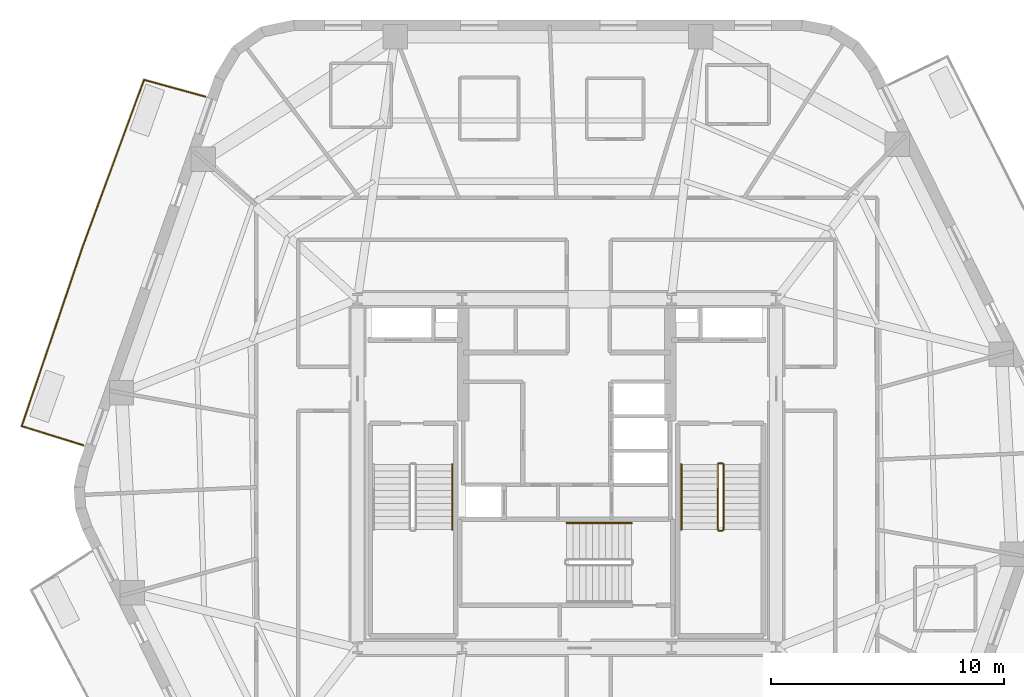
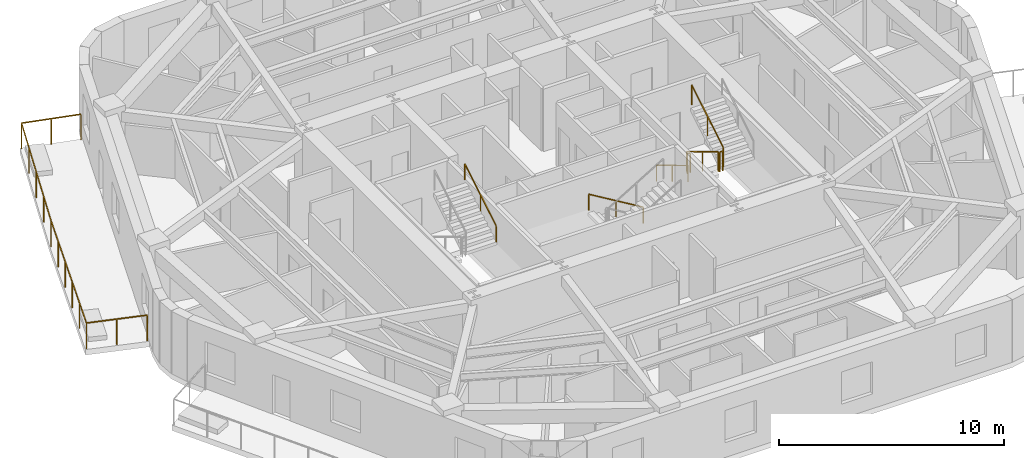
# One storey, part 9 of 10: 8 railings.
"""IFC4 building model written with IfcOpenShell, lengths in metres."""

from ifc_helpers import new_model, si_unit, direction, frame, origin, origin_2d, place, context, subcontext, project, spatial, rectangle, extrude, material, layer, layer_set, type_object, element, save


model = new_model("IFC4")

# Units and contexts
model_context = context("Model", 3, precision=1e-05, world=origin(), true_north=direction((0.0, 1.0)))
body_context = subcontext(model_context, "Body", "Model", "MODEL_VIEW")
ifc_project = project(units=[si_unit("LENGTHUNIT", "METRE"), si_unit("AREAUNIT", "SQUARE_METRE"), si_unit("VOLUMEUNIT", "CUBIC_METRE"), si_unit("PLANEANGLEUNIT", "RADIAN"), si_unit("MASSUNIT", "GRAM", prefix="KILO")], contexts=[model_context])

# Site, building, storey
site_placement = place(None, origin())
site = spatial("IfcSite", under=ifc_project, at=site_placement, CompositionType="ELEMENT")
building_placement = place(site_placement, origin())
building = spatial("IfcBuilding", under=site, at=building_placement, Name="Kilnhurst Terrace Hotel", CompositionType="ELEMENT")
storey_placement = place(building_placement, frame((0.0, 0.0, 175.60009765625)))
storey = spatial("IfcBuildingStorey", under=building, at=storey_placement, Name="L43", CompositionType="ELEMENT", Elevation=175.60009765625)

# Railings
ifc_material_1 = material(Name="Laminated SentryGlas and Stainless Steel AISI 316L Balustrade", Category="steel")
ifc_layer_1 = layer(ifc_material_1, 0.070068359375, Name="Laminated SentryGlas and Stainless Steel AISI 316L Balustrade")
ifc_layer_set_1 = layer_set([ifc_layer_1], Name="Laminated SentryGlas and Stainless Steel AISI 316L Balustrade")
railing_type_1 = type_object("IfcRailingType", Name="RLG-BAL-1420", PredefinedType="BALUSTRADE", material=ifc_layer_set_1)
railing_1_placement = place(storey_placement, frame((-20.783935546875, 1.215087890625, 0.0)))
element("IfcRailing", 1, at=railing_1_placement, inside=storey, type_object=railing_type_1, Name="L43 Exterior Terrace Guardrail BAL-L2A.1", PredefinedType="BALUSTRADE", context=body_context, shape_type="SweptSolid", body=[
    extrude(rectangle(XDim=0.048095703125, YDim=0.048095703125, at=origin_2d()), frame((0.0, 0.0, 1.39599609375), z_axis=(-0.954948187333, 0.29677257203, 0.0), x_axis=(-0.29677257203, -0.954948187333, 0.0)), (0.0, 0.0, 1.0), 2.7763671875),
    extrude(rectangle(XDim=0.048095703125, YDim=0.048095703125, at=origin_2d()), frame((-2.6513671875, 0.823974609375, 1.39599609375), z_axis=(0.321641701575, 0.946861455445, 0.0), x_axis=(-0.946861455445, 0.321641701575, 0.0)), (0.0, 0.0, 1.0), 8.082275390625),
    extrude(rectangle(XDim=0.048095703125, YDim=0.048095703125, at=origin_2d()), frame((-0.0517578125, 8.476806640625, 1.39599609375), z_axis=(0.344704120874, 0.938711387516, 0.0), x_axis=(-0.938711387516, 0.344704120874, 0.0)), (0.0, 0.0, 1.0), 7.7080078125),
    extrude(rectangle(XDim=0.048095703125, YDim=0.048095703125, at=origin_2d()), frame((2.605224609375, 15.71240234375, 1.39599609375), z_axis=(0.964239560757, -0.265032204593, 0.0), x_axis=(0.265032204593, 0.964239560757, 0.0)), (0.0, 0.0, 1.0), 2.739501953125),
    extrude(rectangle(XDim=0.0419921875, YDim=0.0419921875, at=origin_2d()), origin(), (0.0, 0.0, 1.0), 1.371826171875),
    extrude(rectangle(XDim=0.0419921875, YDim=0.0419921875, at=origin_2d()), frame((-1.32568359375, 0.412109375, 0.0)), (0.0, 0.0, 1.0), 1.371826171875),
    extrude(rectangle(XDim=0.0419921875, YDim=0.0419921875, at=origin_2d()), frame((-2.6513671875, 0.823974609375, 0.0)), (0.0, 0.0, 1.0), 1.371826171875),
    extrude(rectangle(XDim=0.0419921875, YDim=0.0419921875, at=origin_2d()), frame((-2.13134765625, 2.3544921875, 0.0)), (0.0, 0.0, 1.0), 1.371826171875),
    extrude(rectangle(XDim=0.0419921875, YDim=0.0419921875, at=origin_2d()), frame((-1.611572265625, 3.885009765625, 0.0)), (0.0, 0.0, 1.0), 1.371826171875),
    extrude(rectangle(XDim=0.0419921875, YDim=0.0419921875, at=origin_2d()), frame((-1.091552734375, 5.415771484375, 0.0)), (0.0, 0.0, 1.0), 1.371826171875),
    extrude(rectangle(XDim=0.0419921875, YDim=0.0419921875, at=origin_2d()), frame((-0.57177734375, 6.9462890625, 0.0)), (0.0, 0.0, 1.0), 1.371826171875),
    extrude(rectangle(XDim=0.0419921875, YDim=0.0419921875, at=origin_2d()), frame((-0.0517578125, 8.476806640625, 0.0)), (0.0, 0.0, 1.0), 1.371826171875),
    extrude(rectangle(XDim=0.0419921875, YDim=0.0419921875, at=origin_2d()), frame((0.612548828125, 10.28564453125, 0.0)), (0.0, 0.0, 1.0), 1.371826171875),
    extrude(rectangle(XDim=0.0419921875, YDim=0.0419921875, at=origin_2d()), frame((1.27685546875, 12.0947265625, 0.0)), (0.0, 0.0, 1.0), 1.371826171875),
    extrude(rectangle(XDim=0.0419921875, YDim=0.0419921875, at=origin_2d()), frame((1.94091796875, 13.903564453125, 0.0)), (0.0, 0.0, 1.0), 1.371826171875),
    extrude(rectangle(XDim=0.0419921875, YDim=0.0419921875, at=origin_2d()), frame((2.605224609375, 15.71240234375, 0.0)), (0.0, 0.0, 1.0), 1.371826171875),
    extrude(rectangle(XDim=0.0419921875, YDim=0.0419921875, at=origin_2d()), frame((3.926025390625, 15.349365234375, 0.0)), (0.0, 0.0, 1.0), 1.371826171875),
    extrude(rectangle(XDim=0.0419921875, YDim=0.0419921875, at=origin_2d()), frame((5.246826171875, 14.986328125, 0.0)), (0.0, 0.0, 1.0), 1.371826171875),
])
ifc_material_2 = material(Name="Powder-Coated Steel ASTM A500 Grade B", Category="steel")
ifc_layer_2 = layer(ifc_material_2, 0.050048828125, Name="Powder-Coated Steel ASTM A500 Grade B")
ifc_layer_set_2 = layer_set([ifc_layer_2], Name="Powder-Coated Steel ASTM A500 Grade B")
railing_type_2 = type_object("IfcRailingType", Name="RLG-ST-GRD-1100", PredefinedType="GUARDRAIL", material=ifc_layer_set_2)
railing_2_placement = place(storey_placement, frame((6.489990234375, 0.389892578125, 0.16796875)))
element("IfcRailing", 2, at=railing_2_placement, inside=storey, type_object=railing_type_2, Name="L43 ST-2 stair guard 1", PredefinedType="GUARDRAIL", context=body_context, shape_type="SweptSolid", body=[
    extrude(rectangle(XDim=0.048095703125, YDim=0.048095703125, at=origin_2d()), frame((0.0, 0.0, 1.076171875), z_axis=(0.0, -0.857222391501, 0.514946377315), x_axis=(1.0, 0.0, 0.0)), (0.0, 0.0, 1.0), 3.26611328125),
    extrude(rectangle(XDim=0.0419921875, YDim=0.0419921875, at=origin_2d()), origin(), (0.0, 0.0, 1.0), 1.052001953125),
    extrude(rectangle(XDim=0.0419921875, YDim=0.0419921875, at=origin_2d()), frame((0.0, -1.39990234375, 0.8408203125)), (0.0, 0.0, 1.0), 1.052001953125),
    extrude(rectangle(XDim=0.0419921875, YDim=0.0419921875, at=origin_2d()), frame((0.0, -2.7998046875, 1.681884765625)), (0.0, 0.0, 1.0), 1.052001953125),
])
railing_3_placement = place(storey_placement, frame((6.5400390625, -2.4599609375, 1.849853515625)))
element("IfcRailing", 3, at=railing_3_placement, inside=storey, type_object=railing_type_2, Name="L43 ST-2 stair guard 2", PredefinedType="GUARDRAIL", context=body_context, shape_type="SweptSolid", body=[
    extrude(rectangle(XDim=0.048095703125, YDim=0.048095703125, at=origin_2d()), frame((0.0, 0.0, 1.076171875), z_axis=(1.0, 0.0, 0.0), x_axis=(0.0, 1.0, 0.0)), (0.0, 0.0, 1.0), 0.14990234375),
    extrude(rectangle(XDim=0.0419921875, YDim=0.0419921875, at=origin_2d()), origin(), (0.0, 0.0, 1.0), 1.052001953125),
    extrude(rectangle(XDim=0.0419921875, YDim=0.0419921875, at=origin_2d()), frame((0.14990234375, 0.0, 0.0)), (0.0, 0.0, 1.0), 1.052001953125),
])
railing_4_placement = place(storey_placement, frame((6.739990234375, -2.409912109375, 2.01806640625)))
element("IfcRailing", 4, at=railing_4_placement, inside=storey, type_object=railing_type_2, Name="L43 ST-2 stair guard 3", PredefinedType="GUARDRAIL", context=body_context, shape_type="SweptSolid", body=[
    extrude(rectangle(XDim=0.048095703125, YDim=0.048095703125, at=origin_2d()), frame((0.0, 0.0, 1.076171875), z_axis=(0.0, 0.857222391501, 0.514946377315), x_axis=(-1.0, 0.0, 0.0)), (0.0, 0.0, 1.0), 3.26611328125),
    extrude(rectangle(XDim=0.0419921875, YDim=0.0419921875, at=origin_2d()), origin(), (0.0, 0.0, 1.0), 1.052001953125),
    extrude(rectangle(XDim=0.0419921875, YDim=0.0419921875, at=origin_2d()), frame((0.0, 1.39990234375, 0.8408203125)), (0.0, 0.0, 1.0), 1.052001953125),
    extrude(rectangle(XDim=0.0419921875, YDim=0.0419921875, at=origin_2d()), frame((0.0, 2.7998046875, 1.681884765625)), (0.0, 0.0, 1.0), 1.052001953125),
])
railing_5_placement = place(storey_placement, frame((6.5400390625, 0.43994140625, 0.0)))
element("IfcRailing", 5, at=railing_5_placement, inside=storey, type_object=railing_type_2, Name="L43 ST-2 stair guard 4", PredefinedType="GUARDRAIL", context=body_context, shape_type="SweptSolid", body=[
    extrude(rectangle(XDim=0.048095703125, YDim=0.048095703125, at=origin_2d()), frame((0.0, 0.0, 1.076171875), z_axis=(1.0, 0.0, 0.0), x_axis=(0.0, 1.0, 0.0)), (0.0, 0.0, 1.0), 0.14990234375),
    extrude(rectangle(XDim=0.0419921875, YDim=0.0419921875, at=origin_2d()), origin(), (0.0, 0.0, 1.0), 1.052001953125),
    extrude(rectangle(XDim=0.0419921875, YDim=0.0419921875, at=origin_2d()), frame((0.14990234375, 0.0, 0.0)), (0.0, 0.0, 1.0), 1.052001953125),
])
ifc_material_3 = material(Name="Brushed Stainless Steel AISI 304", Category="steel")
ifc_layer_3 = layer(ifc_material_3, 0.048095703125, Name="Brushed Stainless Steel AISI 304")
ifc_layer_set_3 = layer_set([ifc_layer_3], Name="Brushed Stainless Steel AISI 304")
railing_type_3 = type_object("IfcRailingType", Name="RLG-ST-HRL-900", PredefinedType="HANDRAIL", material=ifc_layer_set_3)
railing_6_placement = place(storey_placement, frame((-4.929931640625, -2.409912109375, 2.01806640625)))
element("IfcRailing", 6, at=railing_6_placement, inside=storey, type_object=railing_type_3, Name="L43 ST-1 stair handrail 2", PredefinedType="HANDRAIL", context=body_context, shape_type="SweptSolid", body=[
    extrude(rectangle(XDim=0.048095703125, YDim=0.048095703125, at=origin_2d()), frame((0.0, 0.0, 0.8759765625), z_axis=(0.0, 0.857222391501, 0.514946377315), x_axis=(-1.0, 0.0, 0.0)), (0.0, 0.0, 1.0), 3.26611328125),
    extrude(rectangle(XDim=0.0419921875, YDim=0.0419921875, at=origin_2d()), origin(), (0.0, 0.0, 1.0), 0.851806640625),
    extrude(rectangle(XDim=0.0419921875, YDim=0.0419921875, at=origin_2d()), frame((0.0, 1.39990234375, 0.8408203125)), (0.0, 0.0, 1.0), 0.851806640625),
    extrude(rectangle(XDim=0.0419921875, YDim=0.0419921875, at=origin_2d()), frame((0.0, 2.7998046875, 1.681884765625)), (0.0, 0.0, 1.0), 0.851806640625),
])
railing_7_placement = place(storey_placement, frame((4.929931640625, 0.389892578125, 0.16796875)))
element("IfcRailing", 7, at=railing_7_placement, inside=storey, type_object=railing_type_3, Name="L43 ST-2 stair handrail 1", PredefinedType="HANDRAIL", context=body_context, shape_type="SweptSolid", body=[
    extrude(rectangle(XDim=0.048095703125, YDim=0.048095703125, at=origin_2d()), frame((0.0, 0.0, 0.8759765625), z_axis=(0.0, -0.857222391501, 0.514946377315), x_axis=(1.0, 0.0, 0.0)), (0.0, 0.0, 1.0), 3.26611328125),
    extrude(rectangle(XDim=0.0419921875, YDim=0.0419921875, at=origin_2d()), origin(), (0.0, 0.0, 1.0), 0.851806640625),
    extrude(rectangle(XDim=0.0419921875, YDim=0.0419921875, at=origin_2d()), frame((0.0, -1.39990234375, 0.8408203125)), (0.0, 0.0, 1.0), 0.851806640625),
    extrude(rectangle(XDim=0.0419921875, YDim=0.0419921875, at=origin_2d()), frame((0.0, -2.7998046875, 1.681884765625)), (0.0, 0.0, 1.0), 0.851806640625),
])
railing_8_placement = place(storey_placement, frame((2.7900390625, -2.1298828125, 0.16796875)))
element("IfcRailing", 8, at=railing_8_placement, inside=storey, type_object=railing_type_3, Name="L43 ST-3 stair handrail 1", PredefinedType="HANDRAIL", context=body_context, shape_type="SweptSolid", body=[
    extrude(rectangle(XDim=0.048095703125, YDim=0.048095703125, at=origin_2d()), frame((0.0, 0.0, 0.8759765625), z_axis=(-0.857242210791, 0.0, 0.514913383045), x_axis=(0.0, -1.0, 0.0)), (0.0, 0.0, 1.0), 3.266357421875),
    extrude(rectangle(XDim=0.0419921875, YDim=0.0419921875, at=origin_2d()), origin(), (0.0, 0.0, 1.0), 0.851806640625),
    extrude(rectangle(XDim=0.0419921875, YDim=0.0419921875, at=origin_2d()), frame((-1.39990234375, 0.0, 0.8408203125)), (0.0, 0.0, 1.0), 0.851806640625),
    extrude(rectangle(XDim=0.0419921875, YDim=0.0419921875, at=origin_2d()), frame((-2.800048828125, 0.0, 1.681884765625)), (0.0, 0.0, 1.0), 0.851806640625),
])

save(model, "model.ifc")
